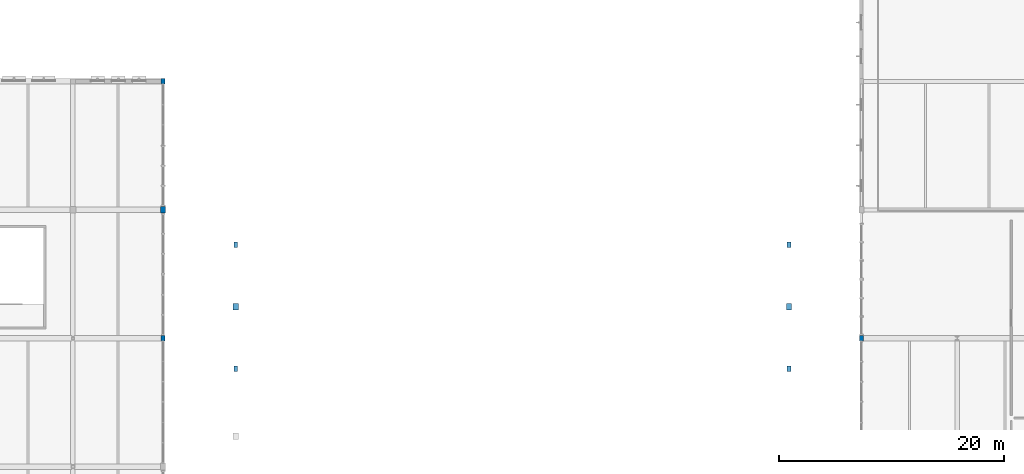
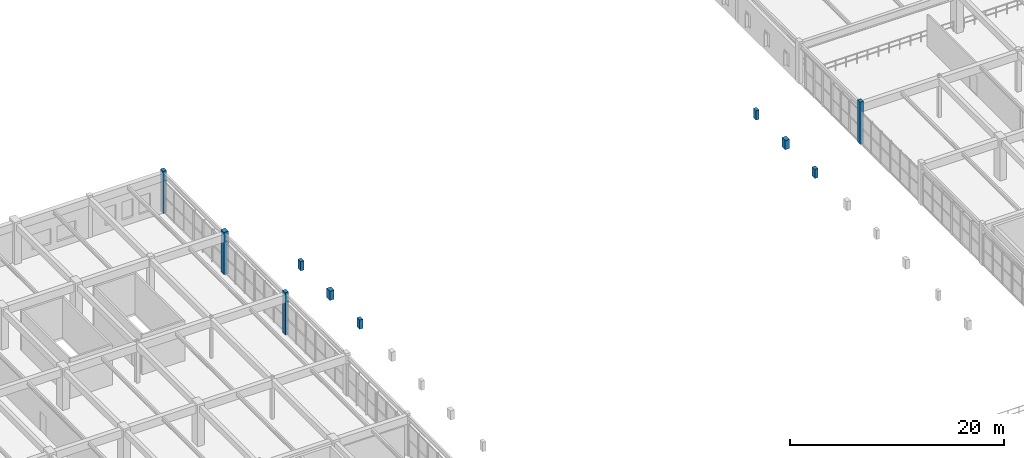
# One storey, part 9 of 106: 10 columns.
"""IFC4 building model written with IfcOpenShell, lengths in metres."""

from ifc_helpers import new_model, si_unit, direction, frame, origin, origin_2d, place, context, subcontext, project, spatial, rectangle, extrude, material, material_profile, profile_set, type_object, element, save


model = new_model("IFC4")

# Units and contexts
model_context = context("Model", 3, precision=1e-05, world=origin(), true_north=direction((0.0, 1.0)))
body_context = subcontext(model_context, "Body", "Model", "MODEL_VIEW")
ifc_project = project(units=[si_unit("LENGTHUNIT", "METRE"), si_unit("AREAUNIT", "SQUARE_METRE"), si_unit("VOLUMEUNIT", "CUBIC_METRE"), si_unit("PLANEANGLEUNIT", "RADIAN"), si_unit("MASSUNIT", "GRAM", prefix="KILO"), si_unit("POWERUNIT", "WATT"), si_unit("THERMODYNAMICTEMPERATUREUNIT", "KELVIN")], contexts=[model_context])

# Site, building, storey
site_placement = place(None, origin())
site = spatial("IfcSite", under=ifc_project, at=site_placement, CompositionType="ELEMENT")
building_placement = place(site_placement, origin())
building = spatial("IfcBuilding", under=site, at=building_placement, Name="Kelmbourne Parkland Aquatics Centre", CompositionType="ELEMENT")
storey_placement = place(building_placement, frame((0.0, 0.0, 5.39990234375)))
storey = spatial("IfcBuildingStorey", under=building, at=storey_placement, Name="L01", CompositionType="ELEMENT", Elevation=5.39990234375)

# Columns
ifc_material = material(Name="Clay brick masonry AS 3700 M12", Category="masonry")
ifc_material_profile_1 = material_profile(ifc_material, rectangle(XDim=0.35009765625, YDim=0.5, at=origin_2d()), Name="PIL 350x500")
ifc_profile_set_1 = profile_set([ifc_material_profile_1], Name="Clay brick masonry AS 3700 M12")
column_type_1 = type_object("IfcColumnType", Name="PIL-PL1", PredefinedType="PILASTER", material=ifc_profile_set_1)
for number, where, z_axis, x_axis, name in (
    (1, (40.0, 69.199951171875, 0.0), (0.0, 0.0, 1.0), (1.0, 0.0, 0.0), "Engaged brick pilaster F-10 (L01)"),
    (2, (40.0, 92.0, 0.0), (0.0, 0.0, 1.0), (1.0, 0.0, 0.0), "Engaged brick pilaster F-12 (L01)"),
    (3, (102.0, 69.199951171875, 0.0), (0.0, 0.0, 1.0), (1.0, 0.0, 0.0), "Engaged brick pilaster M-10 (L01)"),
):
    element("IfcColumn", number, at=place(storey_placement, frame(where, z_axis=z_axis, x_axis=x_axis)), inside=storey, type_object=column_type_1, Name=name, PredefinedType="PILASTER", context=body_context, shape_type="SweptSolid", body=[
        extrude(rectangle(XDim=0.35009765625, YDim=0.5, at=origin_2d()), origin(), (0.0, 0.0, 1.0), 4.800048828125),
    ])
for number, where, z_axis, x_axis, name in (
    (4, (46.449951171875, 66.5, 0.0), (0.0, 0.0, 1.0), (1.0, 0.0, 0.0), "Amsterdam School engaged brick buttress CW-039 (L01)"),
    (5, (46.449951171875, 77.5, 0.0), (0.0, 0.0, 1.0), (1.0, 0.0, 0.0), "Amsterdam School engaged brick buttress CW-041 (L01)"),
    (6, (95.550048828125, 66.5, 0.0), (0.0, 0.0, 1.0), (1.0, 0.0, 0.0), "Amsterdam School engaged brick buttress CE-047 (L01)"),
    (7, (95.550048828125, 77.5, 0.0), (0.0, 0.0, 1.0), (1.0, 0.0, 0.0), "Amsterdam School engaged brick buttress CE-049 (L01)"),
):
    element("IfcColumn", number, at=place(storey_placement, frame(where, z_axis=z_axis, x_axis=x_axis)), inside=storey, type_object=column_type_1, Name=name, PredefinedType="PILASTER", context=body_context, shape_type="SweptSolid", body=[
        extrude(rectangle(XDim=0.35009765625, YDim=0.5, at=origin_2d()), origin(), (0.0, 0.0, 1.0), 1.050048828125),
    ])
ifc_material_profile_2 = material_profile(ifc_material, rectangle(XDim=0.449951171875, YDim=0.60009765625, at=origin_2d()), Name="PIL 450x600")
ifc_profile_set_2 = profile_set([ifc_material_profile_2], Name="Clay brick masonry AS 3700 M12")
column_type_2 = type_object("IfcColumnType", Name="PIL-PL2", PredefinedType="PILASTER", material=ifc_profile_set_2)
column_placement = place(storey_placement, frame((40.0, 80.60009765625, 0.0), z_axis=(0.0, 0.0, 1.0), x_axis=(1.0, 0.0, 0.0)))
element("IfcColumn", 8, at=column_placement, inside=storey, type_object=column_type_2, Name="Engaged brick pilaster F-11 (L01)", PredefinedType="PILASTER", context=body_context, shape_type="SweptSolid", body=[
    extrude(rectangle(XDim=0.449951171875, YDim=0.60009765625, at=origin_2d()), origin(), (0.0, 0.0, 1.0), 4.800048828125),
])
for number, where, z_axis, x_axis, name in (
    (9, (46.449951171875, 72.0, 0.0), (0.0, 0.0, 1.0), (1.0, 0.0, 0.0), "Amsterdam School engaged brick buttress CW-040 (L01)"),
    (10, (95.550048828125, 72.0, 0.0), (0.0, 0.0, 1.0), (1.0, 0.0, 0.0), "Amsterdam School engaged brick buttress CE-048 (L01)"),
):
    element("IfcColumn", number, at=place(storey_placement, frame(where, z_axis=z_axis, x_axis=x_axis)), inside=storey, type_object=column_type_2, Name=name, PredefinedType="PILASTER", context=body_context, shape_type="SweptSolid", body=[
        extrude(rectangle(XDim=0.449951171875, YDim=0.60009765625, at=origin_2d()), origin(), (0.0, 0.0, 1.0), 1.050048828125),
    ])

save(model, "model.ifc")
